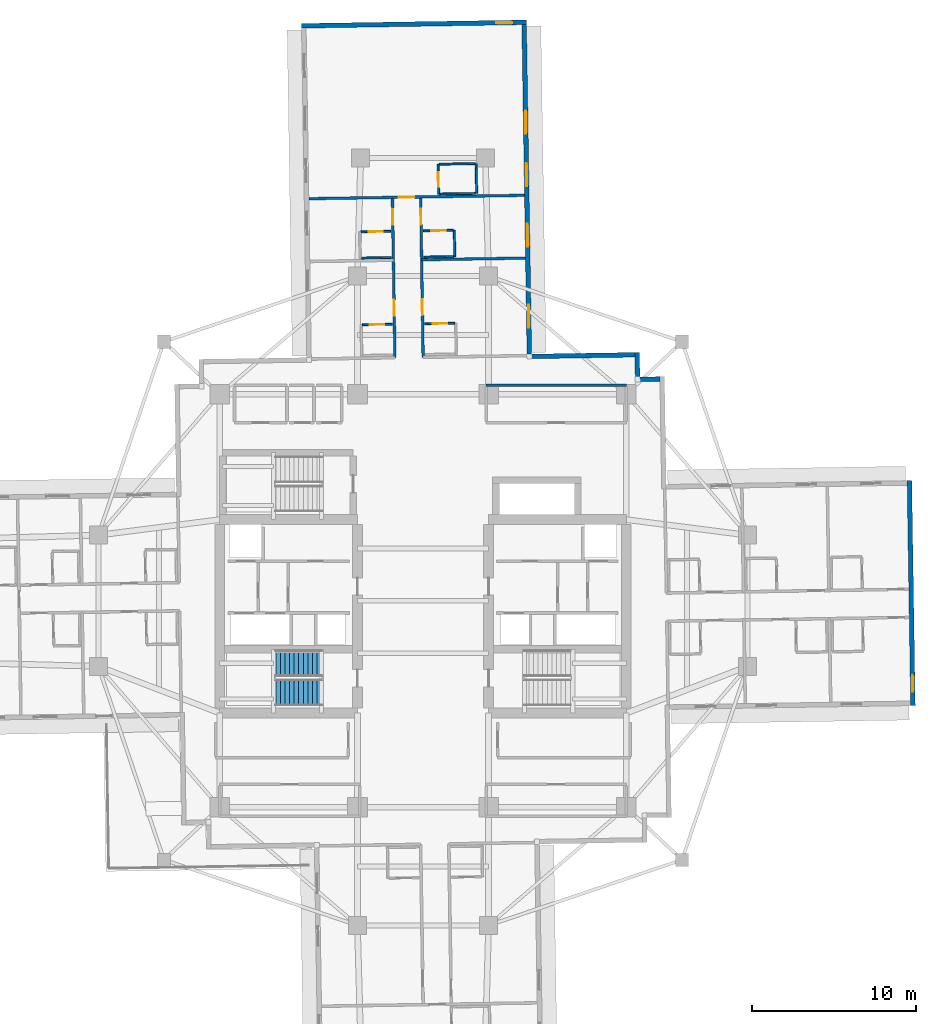
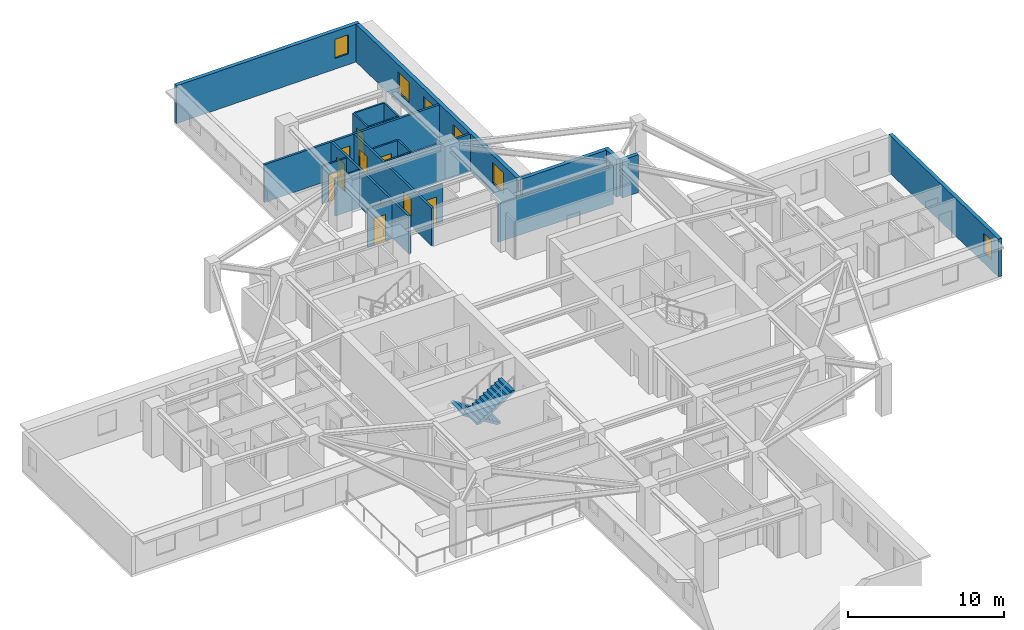
# One storey, part 8 of 14: 22 walls, 10 doors, 6 windows, 2 stair flights, 16 openings, 1 element without a shape of its own.
"""IFC4 building model written with IfcOpenShell, lengths in metres."""

from ifc_helpers import new_model, si_unit, direction, frame, frame_2d, origin, place, context, subcontext, project, spatial, polyline, rectangle, outline, extrude, material, layer, layer_set, type_object, element, fill, aggregate, save


model = new_model("IFC4")

# Units and contexts
model_context = context("Model", 3, precision=1e-05, world=origin(), true_north=direction((0.0, 1.0)))
body_context = subcontext(model_context, "Body", "Model", "MODEL_VIEW")
ifc_project = project(units=[si_unit("LENGTHUNIT", "METRE"), si_unit("AREAUNIT", "SQUARE_METRE"), si_unit("VOLUMEUNIT", "CUBIC_METRE"), si_unit("PLANEANGLEUNIT", "RADIAN"), si_unit("MASSUNIT", "GRAM", prefix="KILO")], contexts=[model_context])

# Site, building, storey
site_placement = place(None, origin())
site = spatial("IfcSite", under=ifc_project, at=site_placement, CompositionType="ELEMENT")
building_placement = place(site_placement, origin())
building = spatial("IfcBuilding", under=site, at=building_placement, Name="Qingluan Cross Belvedere", CompositionType="ELEMENT")
storey_placement = place(building_placement, frame((0.0, 0.0, 108.60009765625)))
storey = spatial("IfcBuildingStorey", under=building, at=storey_placement, Name="L27", CompositionType="ELEMENT", Elevation=108.60009765625)

# Wall
ifc_material_1 = material(Name="Gypsum plasterboard on steel stud acoustic partition", Category="steel")
ifc_layer_1 = layer(ifc_material_1, 0.159912109375, Name="CorridorPartition_160")
ifc_layer_set_1 = layer_set([ifc_layer_1], Name="Gypsum plasterboard on steel stud acoustic partition")
wall_type_1 = type_object("IfcWallType", Name="CorridorPartition_160", PredefinedType="PARTITIONING", material=ifc_layer_set_1)
wall_1_placement = place(storey_placement, frame((3.85009765625, 13.14990234375, 0.0), z_axis=(0.0, 0.0, 1.0), x_axis=(1.0, 0.0, 0.0)))
element("IfcWall", 1, at=wall_1_placement, inside=storey, type_object=wall_type_1, Name="Partition L27:q_ne:N", PredefinedType="PARTITIONING", context=body_context, shape_type="SweptSolid", body=[
    extrude(rectangle(XDim=8.5498046875, YDim=0.159912109375, at=frame_2d((4.27490234375, 0.0))), origin(), (0.0, 0.0, 1.0), 2.9599609375),
])

# Wall, openings, doors
wall_2_placement = place(storey_placement, frame((0.006591796875, 14.851806640625, 0.0), z_axis=(0.0, 0.0, 1.0), x_axis=(-0.015680101899, 0.999877059645, 0.0)))
wall_2 = element("IfcWall", 2, at=wall_2_placement, inside=storey, type_object=wall_type_1, Name="Partition L27:N:c0", PredefinedType="PARTITIONING", context=body_context, shape_type="SweptSolid", body=[
    extrude(rectangle(XDim=9.7001953125, YDim=0.159912109375, at=frame_2d((4.85009765625, 0.0))), origin(), (0.0, 0.0, 1.0), 2.9599609375),
])
opening_1_placement = place(wall_2_placement, frame((2.574951171875, 0.0, 0.0)))
opening_1 = element("IfcOpeningElement", 3, at=opening_1_placement, cuts=wall_2, Name="Opening GD-10", PredefinedType="OPENING", context=body_context, shape_type="SweptSolid", body=[
    extrude(rectangle(XDim=0.9599609375, YDim=2.14990234375, at=frame_2d((0.47998046875, 1.074951171875))), frame((0.0, 0.08984375, 0.0), z_axis=(0.0, -1.0, 0.0), x_axis=(1.0, 0.0, 0.0)), (0.0, 0.0, 1.0), 0.179931640625),
])
opening_2_placement = place(wall_2_placement, frame((8.096923828125, 0.0, 0.0)))
opening_2 = element("IfcOpeningElement", 4, at=opening_2_placement, cuts=wall_2, Name="Opening GD-10", PredefinedType="OPENING", context=body_context, shape_type="SweptSolid", body=[
    extrude(rectangle(XDim=0.9599609375, YDim=2.14990234375, at=frame_2d((0.47998046875, 1.074951171875))), frame((0.0, 0.08984375, 0.0), z_axis=(0.0, -1.0, 0.0), x_axis=(1.0, 0.0, 0.0)), (0.0, 0.0, 1.0), 0.179931640625),
])
ifc_material_2 = material(Name="Timber oak fire-rated acoustic guestroom door", Category="wood")
door_type_1 = type_object("IfcDoorType", Name="GuestEntryDoor_FD60", OperationType="NOTDEFINED", PredefinedType="DOOR", material=ifc_material_2)
door_1_placement = place(opening_1_placement, origin())
door_1 = element("IfcDoor", 5, at=door_1_placement, inside=storey, type_object=door_type_1, Name="Guest entry fire door 2711", OperationType="SINGLE_SWING_RIGHT", OverallHeight=2.14990234375, OverallWidth=0.9599609375, PredefinedType="DOOR", context=body_context, shape_type="SweptSolid", body=[
    extrude(rectangle(XDim=0.9599609375, YDim=2.14990234375, at=frame_2d((0.47998046875, 1.074951171875))), frame((0.0, 0.02490234375, 0.0), z_axis=(0.0, -1.0, 0.0), x_axis=(1.0, 0.0, 0.0)), (0.0, 0.0, 1.0), 0.050048828125),
])
fill(opening_1, door_1)
door_2_placement = place(opening_2_placement, origin())
door_2 = element("IfcDoor", 6, at=door_2_placement, inside=storey, type_object=door_type_1, Name="Guest entry fire door 2712", OperationType="SINGLE_SWING_RIGHT", OverallHeight=2.14990234375, OverallWidth=0.9599609375, PredefinedType="DOOR", context=body_context, shape_type="SweptSolid", body=[
    extrude(rectangle(XDim=0.9599609375, YDim=2.14990234375, at=frame_2d((0.47998046875, 1.074951171875))), frame((0.0, 0.02490234375, 0.0), z_axis=(0.0, -1.0, 0.0), x_axis=(1.0, 0.0, 0.0)), (0.0, 0.0, 1.0), 0.050048828125),
])
fill(opening_2, door_2)

# Wall
wall_3_placement = place(storey_placement, frame((-0.086669921875, 20.80126953125, 0.0), z_axis=(0.0, 0.0, 1.0), x_axis=(0.999876857896, 0.015692961637, 0.0)))
element("IfcWall", 7, at=wall_3_placement, inside=storey, type_object=wall_type_1, Name="Partition L27:N:d0_0", PredefinedType="PARTITIONING", context=body_context, shape_type="SweptSolid", body=[
    extrude(rectangle(XDim=6.331787109375, YDim=0.159912109375, at=frame_2d((3.166015625, 0.0))), origin(), (0.0, 0.0, 1.0), 2.9599609375),
])

# Wall, openings, doors
wall_4_placement = place(storey_placement, frame((-1.713134765625, 14.824951171875, 0.0), z_axis=(0.0, 0.0, 1.0), x_axis=(-0.015705659641, 0.999876658521, 0.0)))
wall_4 = element("IfcWall", 8, at=wall_4_placement, inside=storey, type_object=wall_type_1, Name="Partition L27:N:c1", PredefinedType="PARTITIONING", context=body_context, shape_type="SweptSolid", body=[
    extrude(rectangle(XDim=9.699951171875, YDim=0.159912109375, at=frame_2d((4.85009765625, 0.0))), origin(), (0.0, 0.0, 1.0), 2.9599609375),
])
opening_3_placement = place(wall_4_placement, frame((2.574951171875, 0.0, 0.0)))
opening_3 = element("IfcOpeningElement", 9, at=opening_3_placement, cuts=wall_4, Name="Opening GD-10", PredefinedType="OPENING", context=body_context, shape_type="SweptSolid", body=[
    extrude(rectangle(XDim=0.9599609375, YDim=2.14990234375, at=frame_2d((0.47998046875, 1.074951171875))), frame((0.0, 0.08984375, 0.0), z_axis=(0.0, -1.0, 0.0), x_axis=(1.0, 0.0, 0.0)), (0.0, 0.0, 1.0), 0.179931640625),
])
opening_4_placement = place(wall_4_placement, frame((8.096923828125, 0.0, 0.0)))
opening_4 = element("IfcOpeningElement", 10, at=opening_4_placement, cuts=wall_4, Name="Opening GD-10", PredefinedType="OPENING", context=body_context, shape_type="SweptSolid", body=[
    extrude(rectangle(XDim=0.9599609375, YDim=2.14990234375, at=frame_2d((0.47998046875, 1.074951171875))), frame((0.0, 0.08984375, 0.0), z_axis=(0.0, -1.0, 0.0), x_axis=(1.0, 0.0, 0.0)), (0.0, 0.0, 1.0), 0.179931640625),
])
door_3_placement = place(opening_3_placement, origin())
door_3 = element("IfcDoor", 11, at=door_3_placement, inside=storey, type_object=door_type_1, Name="Guest entry fire door 2713", OperationType="SINGLE_SWING_RIGHT", OverallHeight=2.14990234375, OverallWidth=0.9599609375, PredefinedType="DOOR", context=body_context, shape_type="SweptSolid", body=[
    extrude(rectangle(XDim=0.9599609375, YDim=2.14990234375, at=frame_2d((0.47998046875, 1.074951171875))), frame((0.0, 0.02490234375, 0.0), z_axis=(0.0, -1.0, 0.0), x_axis=(1.0, 0.0, 0.0)), (0.0, 0.0, 1.0), 0.050048828125),
])
fill(opening_3, door_3)
door_4_placement = place(opening_4_placement, origin())
door_4 = element("IfcDoor", 12, at=door_4_placement, inside=storey, type_object=door_type_1, Name="Guest entry fire door 2714", OperationType="SINGLE_SWING_RIGHT", OverallHeight=2.14990234375, OverallWidth=0.9599609375, PredefinedType="DOOR", context=body_context, shape_type="SweptSolid", body=[
    extrude(rectangle(XDim=0.9599609375, YDim=2.14990234375, at=frame_2d((0.47998046875, 1.074951171875))), frame((0.0, 0.02490234375, 0.0), z_axis=(0.0, -1.0, 0.0), x_axis=(1.0, 0.0, 0.0)), (0.0, 0.0, 1.0), 0.050048828125),
])
fill(opening_4, door_4)

# Wall, opening, door
wall_5_placement = place(storey_placement, frame((-6.9580078125, 24.523681640625, 0.0), z_axis=(0.0, 0.0, 1.0), x_axis=(0.999876528878, 0.015713911007, 0.0)))
wall_5 = element("IfcWall", 13, at=wall_5_placement, inside=storey, type_object=wall_type_1, Name="Partition L27:Ncap:in", PredefinedType="PARTITIONING", context=body_context, shape_type="SweptSolid", body=[
    extrude(rectangle(XDim=13.14404296875, YDim=0.159912109375, at=frame_2d((6.572021484375, 0.0))), origin(), (0.0, 0.0, 1.0), 2.9599609375),
])
opening_5_placement = place(wall_5_placement, frame((5.471923828125, 0.0, 0.0)))
opening_5 = element("IfcOpeningElement", 14, at=opening_5_placement, cuts=wall_5, Name="Opening GD-10", PredefinedType="OPENING", context=body_context, shape_type="SweptSolid", body=[
    extrude(rectangle(XDim=0.9599609375, YDim=2.14990234375, at=frame_2d((0.47998046875, 1.074951171875))), frame((0.0, 0.08984375, 0.0), z_axis=(0.0, -1.0, 0.0), x_axis=(1.0, 0.0, 0.0)), (0.0, 0.0, 1.0), 0.179931640625),
])
door_5_placement = place(opening_5_placement, origin())
door_5 = element("IfcDoor", 15, at=door_5_placement, inside=storey, type_object=door_type_1, Name="Presidential suite entrance door L27N", OperationType="SINGLE_SWING_LEFT", OverallHeight=2.14990234375, OverallWidth=0.9599609375, PredefinedType="DOOR", context=body_context, shape_type="SweptSolid", body=[
    extrude(rectangle(XDim=0.9599609375, YDim=2.14990234375, at=frame_2d((0.47998046875, 1.074951171875))), frame((0.0, 0.02490234375, 0.0), z_axis=(0.0, -1.0, 0.0), x_axis=(1.0, 0.0, 0.0)), (0.0, 0.0, 1.0), 0.050048828125),
])
fill(opening_5, door_5)

ifc_material_3 = material(Name="Moisture-resistant gypsum board lining")
ifc_layer_2 = layer(ifc_material_3, 0.1201171875, Name="EnsuiteWetPartition_120")
ifc_layer_set_2 = layer_set([ifc_layer_2], Name="Moisture-resistant gypsum board lining")
wall_type_2 = type_object("IfcWallType", Name="EnsuiteWetPartition_120", PredefinedType="PARTITIONING", material=ifc_layer_set_2)
wall_6_placement = place(storey_placement, frame((0.11474609375, 16.893798828125, 0.0), z_axis=(0.0, 0.0, 1.0), x_axis=(0.999874688728, 0.015830566654, 0.0)))
wall_6 = element("IfcWall", 16, at=wall_6_placement, inside=storey, type_object=wall_type_2, Name="Partition L27:N:bs0_0", PredefinedType="PARTITIONING", context=body_context, shape_type="SweptSolid", body=[
    extrude(rectangle(XDim=1.81982421875, YDim=0.1201171875, at=frame_2d((0.909912109375, 0.0))), origin(), (0.0, 0.0, 1.0), 2.9599609375),
])
opening_6_placement = place(wall_6_placement, frame((0.469970703125, 0.0, 0.0)))
opening_6 = element("IfcOpeningElement", 17, at=opening_6_placement, cuts=wall_6, Name="Opening BD-09", PredefinedType="OPENING", context=body_context, shape_type="SweptSolid", body=[
    extrude(rectangle(XDim=0.8798828125, YDim=2.10009765625, at=frame_2d((0.43994140625, 1.050048828125))), frame((0.0, 0.070068359375, 0.0), z_axis=(0.0, -1.0, 0.0), x_axis=(1.0, 0.0, 0.0)), (0.0, 0.0, 1.0), 0.14013671875),
])
ifc_material_4 = material(Name="Moisture-sealed timber en-suite door", Category="wood")
door_type_2 = type_object("IfcDoorType", Name="BathroomDoor_880", OperationType="NOTDEFINED", PredefinedType="DOOR", material=ifc_material_4)
door_6_placement = place(opening_6_placement, origin())
door_6 = element("IfcDoor", 18, at=door_6_placement, inside=storey, type_object=door_type_2, Name="Bathroom door 2711", OperationType="SINGLE_SWING_LEFT", OverallHeight=2.10009765625, OverallWidth=0.8798828125, PredefinedType="DOOR", context=body_context, shape_type="SweptSolid", body=[
    extrude(rectangle(XDim=0.8798828125, YDim=2.10009765625, at=frame_2d((0.43994140625, 1.050048828125))), frame((0.0, 0.02490234375, 0.0), z_axis=(0.0, -1.0, 0.0), x_axis=(1.0, 0.0, 0.0)), (0.0, 0.0, 1.0), 0.050048828125),
])
fill(opening_6, door_6)

wall_7_placement = place(storey_placement, frame((0.025634765625, 22.563232421875, 0.0), z_axis=(0.0, 0.0, 1.0), x_axis=(0.999876836305, 0.015694337248, 0.0)))
wall_7 = element("IfcWall", 19, at=wall_7_placement, inside=storey, type_object=wall_type_2, Name="Partition L27:N:bs0_1", PredefinedType="PARTITIONING", context=body_context, shape_type="SweptSolid", body=[
    extrude(rectangle(XDim=1.820068359375, YDim=0.1201171875, at=frame_2d((0.91015625, 0.0))), origin(), (0.0, 0.0, 1.0), 2.9599609375),
])
opening_7_placement = place(wall_7_placement, frame((0.469970703125, 0.0, 0.0)))
opening_7 = element("IfcOpeningElement", 20, at=opening_7_placement, cuts=wall_7, Name="Opening BD-09", PredefinedType="OPENING", context=body_context, shape_type="SweptSolid", body=[
    extrude(rectangle(XDim=0.8798828125, YDim=2.10009765625, at=frame_2d((0.43994140625, 1.050048828125))), frame((0.0, 0.070068359375, 0.0), z_axis=(0.0, -1.0, 0.0), x_axis=(1.0, 0.0, 0.0)), (0.0, 0.0, 1.0), 0.14013671875),
])
door_7_placement = place(opening_7_placement, origin())
door_7 = element("IfcDoor", 21, at=door_7_placement, inside=storey, type_object=door_type_2, Name="Bathroom door 2712", OperationType="SINGLE_SWING_LEFT", OverallHeight=2.10009765625, OverallWidth=0.8798828125, PredefinedType="DOOR", context=body_context, shape_type="SweptSolid", body=[
    extrude(rectangle(XDim=0.8798828125, YDim=2.10009765625, at=frame_2d((0.43994140625, 1.050048828125))), frame((0.0, 0.02490234375, 0.0), z_axis=(0.0, -1.0, 0.0), x_axis=(1.0, 0.0, 0.0)), (0.0, 0.0, 1.0), 0.050048828125),
])
fill(opening_7, door_7)

# Walls
wall_8_placement = place(storey_placement, frame((0.05078125, 20.96337890625, 0.0), z_axis=(0.0, 0.0, 1.0), x_axis=(0.999876836305, 0.015694337248, 0.0)))
element("IfcWall", 22, at=wall_8_placement, inside=storey, type_object=wall_type_2, Name="Partition L27:N:bw0_1", PredefinedType="PARTITIONING", context=body_context, shape_type="SweptSolid", body=[
    extrude(rectangle(XDim=1.820068359375, YDim=0.1201171875, at=frame_2d((0.91015625, 0.0))), origin(), (0.0, 0.0, 1.0), 2.9599609375),
])
wall_9_placement = place(storey_placement, frame((1.935546875, 20.992919921875, 0.0), z_axis=(0.0, 0.0, 1.0), x_axis=(-0.015716050513, 0.999876495251, 0.0)))
element("IfcWall", 23, at=wall_9_placement, inside=storey, type_object=wall_type_2, Name="Partition L27:N:bn0_1", PredefinedType="PARTITIONING", context=body_context, shape_type="SweptSolid", body=[
    extrude(rectangle(XDim=1.60009765625, YDim=0.1201171875, at=frame_2d((0.800048828125, 0.0))), origin(), (0.0, 0.0, 1.0), 2.9599609375),
])

# Wall, opening, door
wall_10_placement = place(storey_placement, frame((-3.704833984375, 16.833984375, 0.0), z_axis=(0.0, 0.0, 1.0), x_axis=(0.999876836305, 0.015694337248, 0.0)))
wall_10 = element("IfcWall", 24, at=wall_10_placement, inside=storey, type_object=wall_type_2, Name="Partition L27:N:bs1_0", PredefinedType="PARTITIONING", context=body_context, shape_type="SweptSolid", body=[
    extrude(rectangle(XDim=1.820068359375, YDim=0.1201171875, at=frame_2d((0.91015625, 0.0))), origin(), (0.0, 0.0, 1.0), 2.9599609375),
])
opening_8_placement = place(wall_10_placement, frame((0.469970703125, 0.0, 0.0)))
opening_8 = element("IfcOpeningElement", 25, at=opening_8_placement, cuts=wall_10, Name="Opening BD-09", PredefinedType="OPENING", context=body_context, shape_type="SweptSolid", body=[
    extrude(rectangle(XDim=0.8798828125, YDim=2.10009765625, at=frame_2d((0.43994140625, 1.050048828125))), frame((0.0, 0.070068359375, 0.0), z_axis=(0.0, -1.0, 0.0), x_axis=(1.0, 0.0, 0.0)), (0.0, 0.0, 1.0), 0.14013671875),
])
door_8_placement = place(opening_8_placement, origin())
door_8 = element("IfcDoor", 26, at=door_8_placement, inside=storey, type_object=door_type_2, Name="Bathroom door 2713", OperationType="SINGLE_SWING_LEFT", OverallHeight=2.10009765625, OverallWidth=0.8798828125, PredefinedType="DOOR", context=body_context, shape_type="SweptSolid", body=[
    extrude(rectangle(XDim=0.8798828125, YDim=2.10009765625, at=frame_2d((0.43994140625, 1.050048828125))), frame((0.0, 0.02490234375, 0.0), z_axis=(0.0, -1.0, 0.0), x_axis=(1.0, 0.0, 0.0)), (0.0, 0.0, 1.0), 0.050048828125),
])
fill(opening_8, door_8)

wall_11_placement = place(storey_placement, frame((-3.7939453125, 22.503173828125, 0.0), z_axis=(0.0, 0.0, 1.0), x_axis=(0.999876836305, 0.015694337248, 0.0)))
wall_11 = element("IfcWall", 27, at=wall_11_placement, inside=storey, type_object=wall_type_2, Name="Partition L27:N:bs1_1", PredefinedType="PARTITIONING", context=body_context, shape_type="SweptSolid", body=[
    extrude(rectangle(XDim=1.820068359375, YDim=0.1201171875, at=frame_2d((0.91015625, 0.0))), origin(), (0.0, 0.0, 1.0), 2.9599609375),
])
opening_9_placement = place(wall_11_placement, frame((0.469970703125, 0.0, 0.0)))
opening_9 = element("IfcOpeningElement", 28, at=opening_9_placement, cuts=wall_11, Name="Opening BD-09", PredefinedType="OPENING", context=body_context, shape_type="SweptSolid", body=[
    extrude(rectangle(XDim=0.8798828125, YDim=2.10009765625, at=frame_2d((0.43994140625, 1.050048828125))), frame((0.0, 0.070068359375, 0.0), z_axis=(0.0, -1.0, 0.0), x_axis=(1.0, 0.0, 0.0)), (0.0, 0.0, 1.0), 0.14013671875),
])
door_9_placement = place(opening_9_placement, origin())
door_9 = element("IfcDoor", 29, at=door_9_placement, inside=storey, type_object=door_type_2, Name="Bathroom door 2714", OperationType="SINGLE_SWING_LEFT", OverallHeight=2.10009765625, OverallWidth=0.8798828125, PredefinedType="DOOR", context=body_context, shape_type="SweptSolid", body=[
    extrude(rectangle(XDim=0.8798828125, YDim=2.10009765625, at=frame_2d((0.43994140625, 1.050048828125))), frame((0.0, 0.02490234375, 0.0), z_axis=(0.0, -1.0, 0.0), x_axis=(1.0, 0.0, 0.0)), (0.0, 0.0, 1.0), 0.050048828125),
])
fill(opening_9, door_9)

# Wall
wall_12_placement = place(storey_placement, frame((-3.768798828125, 20.9033203125, 0.0), z_axis=(0.0, 0.0, 1.0), x_axis=(0.999876836305, 0.015694337248, 0.0)))
element("IfcWall", 30, at=wall_12_placement, inside=storey, type_object=wall_type_2, Name="Partition L27:N:bw1_1", PredefinedType="PARTITIONING", context=body_context, shape_type="SweptSolid", body=[
    extrude(rectangle(XDim=1.820068359375, YDim=0.1201171875, at=frame_2d((0.91015625, 0.0))), origin(), (0.0, 0.0, 1.0), 2.9599609375),
])

# Wall, opening, door
wall_13_placement = place(storey_placement, frame((0.950439453125, 24.80810546875, 0.0), z_axis=(0.0, 0.0, 1.0), x_axis=(-0.015696442504, 0.999876803258, 0.0)))
wall_13 = element("IfcWall", 31, at=wall_13_placement, inside=storey, type_object=wall_type_2, Name="Partition L27:Ncap:bs", PredefinedType="PARTITIONING", context=body_context, shape_type="SweptSolid", body=[
    extrude(rectangle(XDim=1.81982421875, YDim=0.1201171875, at=frame_2d((0.909912109375, 0.0))), origin(), (0.0, 0.0, 1.0), 2.9599609375),
])
opening_10_placement = place(wall_13_placement, frame((0.449951171875, 0.0, 0.0)))
opening_10 = element("IfcOpeningElement", 32, at=opening_10_placement, cuts=wall_13, Name="Opening BD-09", PredefinedType="OPENING", context=body_context, shape_type="SweptSolid", body=[
    extrude(rectangle(XDim=0.8798828125, YDim=2.10009765625, at=frame_2d((0.43994140625, 1.050048828125))), frame((0.0, 0.070068359375, 0.0), z_axis=(0.0, -1.0, 0.0), x_axis=(1.0, 0.0, 0.0)), (0.0, 0.0, 1.0), 0.14013671875),
])
door_10_placement = place(opening_10_placement, origin())
door_10 = element("IfcDoor", 33, at=door_10_placement, inside=storey, type_object=door_type_2, Name="En-suite bathroom door L27N", OperationType="SINGLE_SWING_RIGHT", OverallHeight=2.10009765625, OverallWidth=0.8798828125, PredefinedType="DOOR", context=body_context, shape_type="SweptSolid", body=[
    extrude(rectangle(XDim=0.8798828125, YDim=2.10009765625, at=frame_2d((0.43994140625, 1.050048828125))), frame((0.0, 0.02490234375, 0.0), z_axis=(0.0, -1.0, 0.0), x_axis=(1.0, 0.0, 0.0)), (0.0, 0.0, 1.0), 0.050048828125),
])
fill(opening_10, door_10)

# Walls
wall_14_placement = place(storey_placement, frame((3.270263671875, 24.844482421875, 0.0), z_axis=(0.0, 0.0, 1.0), x_axis=(-0.015694337248, 0.999876836305, 0.0)))
element("IfcWall", 34, at=wall_14_placement, inside=storey, type_object=wall_type_2, Name="Partition L27:Ncap:bb", PredefinedType="PARTITIONING", context=body_context, shape_type="SweptSolid", body=[
    extrude(rectangle(XDim=1.820068359375, YDim=0.1201171875, at=frame_2d((0.91015625, 0.0))), origin(), (0.0, 0.0, 1.0), 2.9599609375),
])
for number, where, z_axis, x_axis, name in (
    (35, (1.0205078125, 24.80908203125, 0.0), (0.0, 0.0, 1.0), (0.999877075733, 0.015679076008, 0.0), "Partition L27:Ncap:ba"),
    (36, (0.991943359375, 26.62890625, 0.0), (0.0, 0.0, 1.0), (0.999877075733, 0.015679076008, 0.0), "Partition L27:Ncap:bn"),
):
    element("IfcWall", number, at=place(storey_placement, frame(where, z_axis=z_axis, x_axis=x_axis)), inside=storey, type_object=wall_type_2, Name=name, PredefinedType="PARTITIONING", context=body_context, shape_type="SweptSolid", body=[
        extrude(rectangle(XDim=2.179931640625, YDim=0.1201171875, at=frame_2d((1.08984375, 0.0))), origin(), (0.0, 0.0, 1.0), 2.9599609375),
    ])

# Wall, opening, window
ifc_material_5 = material(Name="Precast concrete C45", Category="concrete")
ifc_layer_3 = layer(ifc_material_5, 0.280029296875, Name="PrecastFacadeWall_280")
ifc_layer_set_3 = layer_set([ifc_layer_3], Name="Precast concrete C45")
wall_type_3 = type_object("IfcWallType", Name="PrecastFacadeWall_280", PredefinedType="STANDARD", material=ifc_layer_set_3)
wall_15_placement = place(storey_placement, frame((29.884033203125, -6.391357421875, 0.0), z_axis=(0.0, 0.0, 1.0), x_axis=(-0.015694809807, 0.999876828887, 0.0)))
wall_15 = element("IfcWall", 37, at=wall_15_placement, inside=storey, type_object=wall_type_3, Name="Arm tip precast facade wall L27-E", PredefinedType="STANDARD", context=body_context, shape_type="SweptSolid", body=[
    extrude(rectangle(XDim=13.719970703125, YDim=0.280029296875, at=frame_2d((6.85986328125, 0.0))), origin(), (0.0, 0.0, 1.0), 2.969970703125),
])
opening_11_placement = place(wall_15_placement, frame((0.85009765625, 0.0, 0.85009765625)))
opening_11 = element("IfcOpeningElement", 38, at=opening_11_placement, cuts=wall_15, Name="Opening W-03", PredefinedType="OPENING", context=body_context, shape_type="SweptSolid", body=[
    extrude(rectangle(XDim=1.0, YDim=1.5, at=frame_2d((0.5, 0.75))), frame((0.0, 0.14990234375, 0.0), z_axis=(0.0, -1.0, 0.0), x_axis=(1.0, 0.0, 0.0)), (0.0, 0.0, 1.0), 0.300048828125),
])
ifc_material_6 = material(Name="Thermally broken triple Low-E glass in aluminium frame", Category="aluminium")
window_type_1 = type_object("IfcWindowType", Name="TriApexWin_1000x1500", PartitioningType="SINGLE_PANEL", PredefinedType="WINDOW", material=ifc_material_6)
window_1_placement = place(opening_11_placement, origin())
window_1 = element("IfcWindow", 39, at=window_1_placement, inside=storey, type_object=window_type_1, Name="Arm tip triangular window L27-E", OverallHeight=1.5, OverallWidth=1.0, PartitioningType="SINGLE_PANEL", PredefinedType="WINDOW", context=body_context, shape_type="SweptSolid", body=[
    extrude(rectangle(XDim=1.0, YDim=1.5, at=frame_2d((0.5, 0.75))), frame((0.0, 0.030029296875, 0.0), z_axis=(0.0, -1.0, 0.0), x_axis=(1.0, 0.0, 0.0)), (0.0, 0.0, 1.0), 0.06005859375),
])
fill(opening_11, window_1)

# Wall, openings, windows
wall_16_placement = place(storey_placement, frame((6.484619140625, 15.043701171875, 0.0), z_axis=(0.0, 0.0, 1.0), x_axis=(-0.01571739401, 0.999876474133, 0.0)))
wall_16 = element("IfcWall", 40, at=wall_16_placement, inside=storey, type_object=wall_type_3, Name="Facade wall L27-NA", PredefinedType="STANDARD", context=body_context, shape_type="SweptSolid", body=[
    extrude(rectangle(XDim=20.099853515625, YDim=0.280029296875, at=frame_2d((10.0498046875, 0.0))), origin(), (0.0, 0.0, 1.0), 2.969970703125),
])
opening_12_placement = place(wall_16_placement, frame((1.60009765625, 0.0, 0.800048828125)))
opening_12 = element("IfcOpeningElement", 41, at=opening_12_placement, cuts=wall_16, Name="Opening W-01", PredefinedType="OPENING", context=body_context, shape_type="SweptSolid", body=[
    extrude(rectangle(XDim=1.39990234375, YDim=1.60009765625, at=frame_2d((0.699951171875, 0.800048828125))), frame((0.0, 0.14990234375, 0.0), z_axis=(0.0, -1.0, 0.0), x_axis=(1.0, 0.0, 0.0)), (0.0, 0.0, 1.0), 0.300048828125),
])
opening_13_placement = place(wall_16_placement, frame((6.550048828125, 0.0, 0.800048828125)))
opening_13 = element("IfcOpeningElement", 42, at=opening_13_placement, cuts=wall_16, Name="Opening W-01", PredefinedType="OPENING", context=body_context, shape_type="SweptSolid", body=[
    extrude(rectangle(XDim=1.39990234375, YDim=1.60009765625, at=frame_2d((0.699951171875, 0.800048828125))), frame((0.0, 0.14990234375, 0.0), z_axis=(0.0, -1.0, 0.0), x_axis=(1.0, 0.0, 0.0)), (0.0, 0.0, 1.0), 0.300048828125),
])
opening_14_placement = place(wall_16_placement, frame((10.25, 0.0, 0.800048828125)))
opening_14 = element("IfcOpeningElement", 43, at=opening_14_placement, cuts=wall_16, Name="Opening W-01", PredefinedType="OPENING", context=body_context, shape_type="SweptSolid", body=[
    extrude(rectangle(XDim=1.39990234375, YDim=1.60009765625, at=frame_2d((0.699951171875, 0.800048828125))), frame((0.0, 0.14990234375, 0.0), z_axis=(0.0, -1.0, 0.0), x_axis=(1.0, 0.0, 0.0)), (0.0, 0.0, 1.0), 0.300048828125),
])
opening_15_placement = place(wall_16_placement, frame((13.449951171875, 0.0, 0.800048828125)))
opening_15 = element("IfcOpeningElement", 44, at=opening_15_placement, cuts=wall_16, Name="Opening W-01", PredefinedType="OPENING", context=body_context, shape_type="SweptSolid", body=[
    extrude(rectangle(XDim=1.39990234375, YDim=1.60009765625, at=frame_2d((0.699951171875, 0.800048828125))), frame((0.0, 0.14990234375, 0.0), z_axis=(0.0, -1.0, 0.0), x_axis=(1.0, 0.0, 0.0)), (0.0, 0.0, 1.0), 0.300048828125),
])
ifc_material_7 = material(Name="Thermally broken triple Low-E glass in aluminium frame", Category="aluminium")
window_type_2 = type_object("IfcWindowType", Name="TriRibbonWin_1400x1600", PartitioningType="SINGLE_PANEL", PredefinedType="WINDOW", material=ifc_material_7)
window_2_placement = place(opening_12_placement, origin())
window_2 = element("IfcWindow", 45, at=window_2_placement, inside=storey, type_object=window_type_2, Name="Ribbon window L27-NA-1", OverallHeight=1.60009765625, OverallWidth=1.39990234375, PartitioningType="SINGLE_PANEL", PredefinedType="WINDOW", context=body_context, shape_type="SweptSolid", body=[
    extrude(rectangle(XDim=1.39990234375, YDim=1.60009765625, at=frame_2d((0.699951171875, 0.800048828125))), frame((0.0, 0.030029296875, 0.0), z_axis=(0.0, -1.0, 0.0), x_axis=(1.0, 0.0, 0.0)), (0.0, 0.0, 1.0), 0.06005859375),
])
fill(opening_12, window_2)
window_3_placement = place(opening_13_placement, origin())
window_3 = element("IfcWindow", 46, at=window_3_placement, inside=storey, type_object=window_type_2, Name="Ribbon window L27-NA-2", OverallHeight=1.60009765625, OverallWidth=1.39990234375, PartitioningType="SINGLE_PANEL", PredefinedType="WINDOW", context=body_context, shape_type="SweptSolid", body=[
    extrude(rectangle(XDim=1.39990234375, YDim=1.60009765625, at=frame_2d((0.699951171875, 0.800048828125))), frame((0.0, 0.030029296875, 0.0), z_axis=(0.0, -1.0, 0.0), x_axis=(1.0, 0.0, 0.0)), (0.0, 0.0, 1.0), 0.06005859375),
])
fill(opening_13, window_3)
window_4_placement = place(opening_14_placement, origin())
window_4 = element("IfcWindow", 47, at=window_4_placement, inside=storey, type_object=window_type_2, Name="Ribbon window L27-NA-3", OverallHeight=1.60009765625, OverallWidth=1.39990234375, PartitioningType="SINGLE_PANEL", PredefinedType="WINDOW", context=body_context, shape_type="SweptSolid", body=[
    extrude(rectangle(XDim=1.39990234375, YDim=1.60009765625, at=frame_2d((0.699951171875, 0.800048828125))), frame((0.0, 0.030029296875, 0.0), z_axis=(0.0, -1.0, 0.0), x_axis=(1.0, 0.0, 0.0)), (0.0, 0.0, 1.0), 0.06005859375),
])
fill(opening_14, window_4)
window_5_placement = place(opening_15_placement, origin())
window_5 = element("IfcWindow", 48, at=window_5_placement, inside=storey, type_object=window_type_2, Name="Ribbon window L27-NA-4", OverallHeight=1.60009765625, OverallWidth=1.39990234375, PartitioningType="SINGLE_PANEL", PredefinedType="WINDOW", context=body_context, shape_type="SweptSolid", body=[
    extrude(rectangle(XDim=1.39990234375, YDim=1.60009765625, at=frame_2d((0.699951171875, 0.800048828125))), frame((0.0, 0.030029296875, 0.0), z_axis=(0.0, -1.0, 0.0), x_axis=(1.0, 0.0, 0.0)), (0.0, 0.0, 1.0), 0.06005859375),
])
fill(opening_15, window_5)

# Wall, opening, window
wall_17_placement = place(storey_placement, frame((6.306640625, 35.283447265625, 0.0), z_axis=(0.0, 0.0, 1.0), x_axis=(-0.999876549481, -0.015712599986, 0.0)))
wall_17 = element("IfcWall", 49, at=wall_17_placement, inside=storey, type_object=wall_type_3, Name="Arm tip precast facade wall L27-N", PredefinedType="STANDARD", context=body_context, shape_type="SweptSolid", body=[
    extrude(rectangle(XDim=13.719970703125, YDim=0.280029296875, at=frame_2d((6.85986328125, 0.0))), origin(), (0.0, 0.0, 1.0), 2.969970703125),
])
opening_16_placement = place(wall_17_placement, frame((0.85009765625, 0.0, 0.85009765625)))
opening_16 = element("IfcOpeningElement", 50, at=opening_16_placement, cuts=wall_17, Name="Opening W-03", PredefinedType="OPENING", context=body_context, shape_type="SweptSolid", body=[
    extrude(rectangle(XDim=1.0, YDim=1.5, at=frame_2d((0.5, 0.75))), frame((0.0, 0.14990234375, 0.0), z_axis=(0.0, -1.0, 0.0), x_axis=(1.0, 0.0, 0.0)), (0.0, 0.0, 1.0), 0.300048828125),
])
window_6_placement = place(opening_16_placement, origin())
window_6 = element("IfcWindow", 51, at=window_6_placement, inside=storey, type_object=window_type_1, Name="Arm tip triangular window L27-N", OverallHeight=1.5, OverallWidth=1.0, PartitioningType="SINGLE_PANEL", PredefinedType="WINDOW", context=body_context, shape_type="SweptSolid", body=[
    extrude(rectangle(XDim=1.0, YDim=1.5, at=frame_2d((0.5, 0.75))), frame((0.0, 0.030029296875, 0.0), z_axis=(0.0, -1.0, 0.0), x_axis=(1.0, 0.0, 0.0)), (0.0, 0.0, 1.0), 0.06005859375),
])
fill(opening_16, window_6)

# Walls
wall_18_placement = place(storey_placement, frame((14.44921875, 13.528564453125, 0.0), z_axis=(0.0, 0.0, 1.0), x_axis=(-0.999878147354, -0.015610587569, 0.0)))
element("IfcWall", 52, at=wall_18_placement, inside=storey, type_object=wall_type_3, Name="Corner wall L27-NE2", PredefinedType="STANDARD", context=body_context, shape_type="SweptSolid", body=[
    extrude(rectangle(XDim=1.219970703125, YDim=0.280029296875, at=frame_2d((0.60986328125, 0.0))), origin(), (0.0, 0.0, 1.0), 2.969970703125),
])
wall_19_placement = place(storey_placement, frame((13.08740234375, 13.647216796875, 0.0), z_axis=(0.0, 0.0, 1.0), x_axis=(-0.015785793208, 0.999875396603, 0.0)))
element("IfcWall", 53, at=wall_19_placement, inside=storey, type_object=wall_type_3, Name="Corner wall L27-NE3", PredefinedType="STANDARD", context=body_context, shape_type="SweptSolid", body=[
    extrude(rectangle(XDim=1.500244140625, YDim=0.280029296875, at=frame_2d((0.75, 0.0))), origin(), (0.0, 0.0, 1.0), 2.969970703125),
])
wall_20_placement = place(storey_placement, frame((12.92578125, 15.0048828125, 0.0), z_axis=(0.0, 0.0, 1.0), x_axis=(-0.999876823822, -0.015695132501, 0.0)))
element("IfcWall", 54, at=wall_20_placement, inside=storey, type_object=wall_type_3, Name="Corner wall L27-NE4", PredefinedType="STANDARD", context=body_context, shape_type="SweptSolid", body=[
    extrude(rectangle(XDim=6.2998046875, YDim=0.280029296875, at=frame_2d((3.14990234375, 0.0))), origin(), (0.0, 0.0, 1.0), 2.969970703125),
])

# Stair, stair flights
ifc_material_8 = material(Name="Concrete C40", Category="concrete")
stair_type = type_object("IfcStairType", Name="CoreDoglegStair_1620", PredefinedType="HALF_TURN_STAIR", material=ifc_material_8)
stair_placement = place(storey_placement, origin())
stair = element("IfcStair", 55, at=stair_placement, inside=storey, type_object=stair_type, Name="L27 ST1", PredefinedType="HALF_TURN_STAIR")
ifc_material_9 = material(Name="Concrete C40", Category="concrete")
ifc_layer_4 = layer(ifc_material_9, 0.179931640625, Name="StairFlight_RC180")
ifc_layer_set_4 = layer_set([ifc_layer_4], Name="Concrete C40")
stair_flight_type = type_object("IfcStairFlightType", Name="StairFlight_RC180", PredefinedType="STRAIGHT", material=ifc_layer_set_4)
stair_flight_1_placement = place(storey_placement, frame((-6.179931640625, -3.81005859375, 0.0), z_axis=(0.0, 0.0, 1.0), x_axis=(-1.0, 0.0, 0.0)))
stair_flight_1 = element("IfcStairFlight", 56, at=stair_flight_1_placement, type_object=stair_flight_type, Name="ST1 flight 1", NumberOfRisers=11, NumberOfTreads=10, PredefinedType="STRAIGHT", RiserHeight=0.177272727, TreadLength=0.28, context=body_context, shape_type="SweptSolid", body=[
    extrude(outline(polyline([(0.0, 0.0), (0.0, 0.17724609375), (0.280029296875, 0.17724609375), (0.280029296875, 0.3544921875), (0.56005859375, 0.3544921875), (0.56005859375, 0.53173828125), (0.840087890625, 0.53173828125), (0.840087890625, 0.708984375), (1.1201171875, 0.708984375), (1.1201171875, 0.886474609375), (1.39990234375, 0.886474609375), (1.39990234375, 1.063720703125), (1.679931640625, 1.063720703125), (1.679931640625, 1.240966796875), (1.9599609375, 1.240966796875), (1.9599609375, 1.418212890625), (2.239990234375, 1.418212890625), (2.239990234375, 1.595458984375), (2.52001953125, 1.595458984375), (2.52001953125, 1.772705078125), (2.800048828125, 1.772705078125), (2.800048828125, 1.949951171875), (2.800048828125, 1.59521484375), (0.2802734375, 0.0), (0.0, 0.0)])), frame((0.0, 0.81005859375, 0.0), z_axis=(0.0, -1.0, 0.0), x_axis=(1.0, 0.0, 0.0)), (0.0, 0.0, 1.0), 1.6201171875),
])
stair_flight_2_placement = place(storey_placement, frame((-8.97998046875, -5.590087890625, 1.949951171875), z_axis=(0.0, 0.0, 1.0), x_axis=(1.0, 0.0, 0.0)))
stair_flight_2 = element("IfcStairFlight", 57, at=stair_flight_2_placement, type_object=stair_flight_type, Name="ST1 flight 2", NumberOfRisers=11, NumberOfTreads=10, PredefinedType="STRAIGHT", RiserHeight=0.177272727, TreadLength=0.28, context=body_context, shape_type="SweptSolid", body=[
    extrude(outline(polyline([(0.0, 0.0), (0.0, 0.17724609375), (0.280029296875, 0.17724609375), (0.280029296875, 0.3544921875), (0.56005859375, 0.3544921875), (0.56005859375, 0.53173828125), (0.840087890625, 0.53173828125), (0.840087890625, 0.708984375), (1.1201171875, 0.708984375), (1.1201171875, 0.886474609375), (1.39990234375, 0.886474609375), (1.39990234375, 1.063720703125), (1.679931640625, 1.063720703125), (1.679931640625, 1.240966796875), (1.9599609375, 1.240966796875), (1.9599609375, 1.418212890625), (2.239990234375, 1.418212890625), (2.239990234375, 1.595458984375), (2.52001953125, 1.595458984375), (2.52001953125, 1.772705078125), (2.800048828125, 1.772705078125), (2.800048828125, 1.949951171875), (2.800048828125, 1.59521484375), (0.2802734375, 0.0), (0.0, 0.0)])), frame((0.0, 0.81005859375, 0.0), z_axis=(0.0, -1.0, 0.0), x_axis=(1.0, 0.0, 0.0)), (0.0, 0.0, 1.0), 1.6201171875),
])
aggregate(stair, [stair_flight_1, stair_flight_2])

save(model, "model.ifc")
